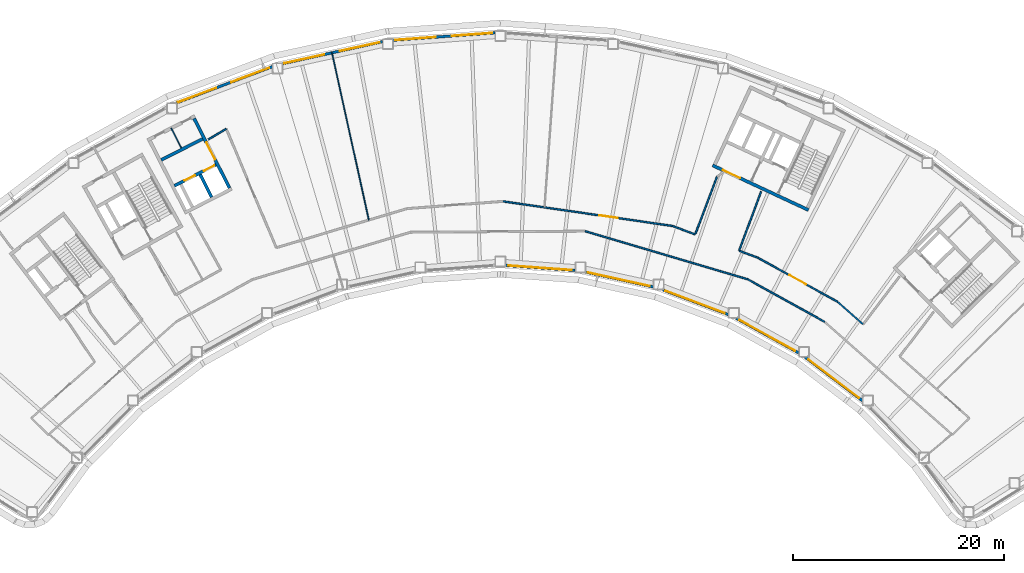
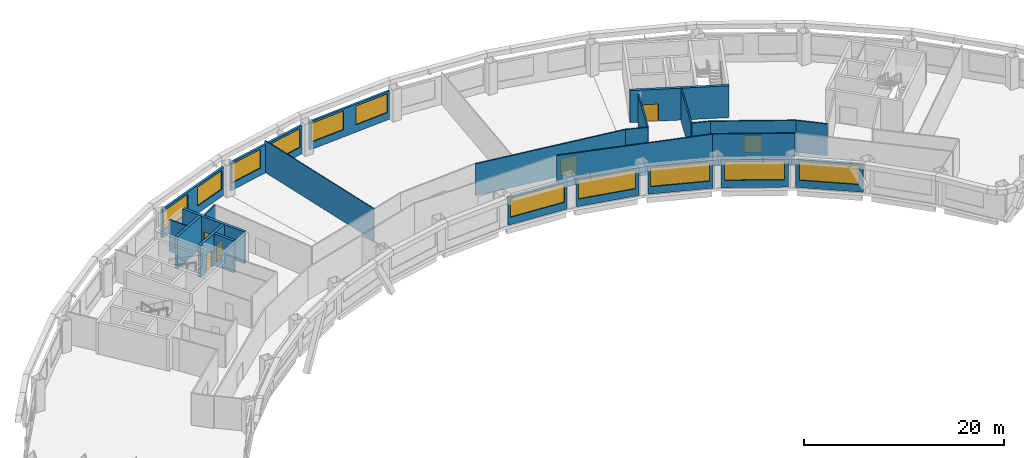
# One storey, part 5 of 13: 25 walls, 11 windows, 6 doors, 17 openings.
"""IFC4 building model written with IfcOpenShell, lengths in metres."""

from ifc_helpers import new_model, si_unit, direction, frame, frame_2d, origin, place, context, subcontext, project, spatial, rectangle, extrude, material, layer, layer_set, type_object, element, fill, save


model = new_model("IFC4")

# Units and contexts
model_context = context("Model", 3, precision=1e-05, world=origin(), true_north=direction((0.0, 1.0)))
body_context = subcontext(model_context, "Body", "Model", "MODEL_VIEW")
ifc_project = project(units=[si_unit("LENGTHUNIT", "METRE"), si_unit("AREAUNIT", "SQUARE_METRE"), si_unit("VOLUMEUNIT", "CUBIC_METRE"), si_unit("PLANEANGLEUNIT", "RADIAN"), si_unit("MASSUNIT", "GRAM", prefix="KILO")], contexts=[model_context])

# Site, building, storey
site_placement = place(None, origin())
site = spatial("IfcSite", under=ifc_project, at=site_placement, CompositionType="ELEMENT")
building_placement = place(site_placement, origin())
building = spatial("IfcBuilding", under=site, at=building_placement, Name="Tuul Gate Civic Tower", CompositionType="ELEMENT")
storey_placement = place(building_placement, frame((0.0, 0.0, 150.800048828125)))
storey = spatial("IfcBuildingStorey", under=building, at=storey_placement, Name="Level 34", CompositionType="ELEMENT", Elevation=150.800048828125)

# Wall, opening, door
ifc_material_1 = material(Name="Concrete C50/60", Category="concrete")
ifc_layer_1 = layer(ifc_material_1, 0.300048828125)
ifc_layer_set_1 = layer_set([ifc_layer_1], Name="Concrete C50/60")
wall_type_1 = type_object("IfcWallType", Name="Core wall C50/60", PredefinedType="SHEAR", material=ifc_layer_set_1)
wall_1_placement = place(storey_placement, frame((34.5283203125, -7.25, 0.0), z_axis=(0.0, 0.0, 1.0), x_axis=(-0.906310338845, 0.422612789327, 0.0)))
wall_1 = element("IfcWall", 1, at=wall_1_placement, inside=storey, type_object=wall_type_1, Name="Core wall", PredefinedType="SHEAR", context=body_context, shape_type="SweptSolid", body=[
    extrude(rectangle(XDim=9.999755859375, YDim=0.300048828125, at=frame_2d((5.0, 0.0))), origin(), (0.0, 0.0, 1.0), 3.89990234375),
])
opening_1_placement = place(wall_1_placement, frame((7.125, 0.0, 0.0)))
opening_1 = element("IfcOpeningElement", 2, at=opening_1_placement, cuts=wall_1, Name="Opening LB-E3-LOBBY-1", PredefinedType="OPENING", context=body_context, shape_type="SweptSolid", body=[
    extrude(rectangle(XDim=1.800048828125, YDim=2.10009765625, at=frame_2d((0.89990234375, 1.050048828125))), frame((0.0, 0.16015625, 0.0), z_axis=(0.0, -1.0, 0.0), x_axis=(1.0, 0.0, 0.0)), (0.0, 0.0, 1.0), 0.320068359375),
])
ifc_material_2 = material(Name="Steel", Category="steel")
door_type_1 = type_object("IfcDoorType", Name="Lobby door", OperationType="DOUBLE_DOOR_SINGLE_SWING", PredefinedType="DOOR", material=ifc_material_2)
door_1_placement = place(opening_1_placement, frame((1.800048828125, 0.0, 0.0), z_axis=(0.0, 0.0, 1.0), x_axis=(-1.0, 0.0, 0.0)))
door_1 = element("IfcDoor", 3, at=door_1_placement, inside=storey, type_object=door_type_1, Name="Lobby door E3-LOBBY", OperationType="DOUBLE_DOOR_SINGLE_SWING", OverallHeight=2.10009765625, OverallWidth=1.800048828125, PredefinedType="DOOR", context=body_context, shape_type="SweptSolid", body=[
    extrude(rectangle(XDim=1.800048828125, YDim=2.10009765625, at=frame_2d((0.900146484375, 1.050048828125))), frame((0.0, 0.02490234375, 0.0), z_axis=(0.0, -1.0, 0.0), x_axis=(1.0, 0.0, 0.0)), (0.0, 0.0, 1.0), 0.050048828125),
])
fill(opening_1, door_1)

# Wall
ifc_material_3 = material(Name="Gypsum board partition")
ifc_layer_2 = layer(ifc_material_3, 0.14990234375)
ifc_layer_set_2 = layer_set([ifc_layer_2], Name="Gypsum board partition")
wall_type_2 = type_object("IfcWallType", Name="Corridor wall P150", PredefinedType="PARTITIONING", material=ifc_layer_set_2)
wall_2_placement = place(storey_placement, frame((37.291748046875, -15.93798828125, 0.0), z_axis=(0.0, 0.0, 1.0), x_axis=(0.749786473691, -0.661679865093, 0.0)))
element("IfcWall", 4, at=wall_2_placement, inside=storey, type_object=wall_type_2, Name="p005", PredefinedType="PARTITIONING", context=body_context, shape_type="SweptSolid", body=[
    extrude(rectangle(XDim=3.189453125, YDim=0.14990234375, at=frame_2d((1.5947265625, 0.0))), origin(), (0.0, 0.0, 1.0), 3.89990234375),
])

# Wall, opening, door
wall_3_placement = place(storey_placement, frame((29.74365234375, -11.760986328125, 0.0), z_axis=(0.0, 0.0, 1.0), x_axis=(0.874963879405, -0.48418819661, 0.0)))
wall_3 = element("IfcWall", 5, at=wall_3_placement, inside=storey, type_object=wall_type_2, Name="p010", PredefinedType="PARTITIONING", context=body_context, shape_type="SweptSolid", body=[
    extrude(rectangle(XDim=8.624755859375, YDim=0.14990234375, at=frame_2d((4.3125, 0.0))), origin(), (0.0, 0.0, 1.0), 3.89990234375),
])
opening_2_placement = place(wall_3_placement, frame((3.412353515625, 0.0, 0.0)))
opening_2 = element("IfcOpeningElement", 6, at=opening_2_placement, cuts=wall_3, Name="Opening L-D02", PredefinedType="OPENING", context=body_context, shape_type="SweptSolid", body=[
    extrude(rectangle(XDim=1.800048828125, YDim=2.10009765625, at=frame_2d((0.89990234375, 1.050048828125))), frame((0.0, 0.0849609375, 0.0), z_axis=(0.0, -1.0, 0.0), x_axis=(1.0, 0.0, 0.0)), (0.0, 0.0, 1.0), 0.169921875),
])
ifc_material_4 = material(Name="Timber door leaf, double", Category="wood")
door_type_2 = type_object("IfcDoorType", Name="Door D18", OperationType="DOUBLE_DOOR_SINGLE_SWING", PredefinedType="DOOR", material=ifc_material_4)
door_2_placement = place(opening_2_placement, origin())
door_2 = element("IfcDoor", 7, at=door_2_placement, inside=storey, type_object=door_type_2, Name="Door L-D02", OperationType="DOUBLE_DOOR_SINGLE_SWING", OverallHeight=2.10009765625, OverallWidth=1.800048828125, PredefinedType="DOOR", context=body_context, shape_type="SweptSolid", body=[
    extrude(rectangle(XDim=1.800048828125, YDim=2.10009765625, at=frame_2d((0.89990234375, 1.050048828125))), frame((0.0, 0.02490234375, 0.0), z_axis=(0.0, -1.0, 0.0), x_axis=(1.0, 0.0, 0.0)), (0.0, 0.0, 1.0), 0.050048828125),
])
fill(opening_2, door_2)

# Walls
wall_4_placement = place(storey_placement, frame((21.662109375, -8.7568359375, 0.0), z_axis=(0.0, 0.0, 1.0), x_axis=(0.937319007973, -0.348472491443, 0.0)))
element("IfcWall", 8, at=wall_4_placement, inside=storey, type_object=wall_type_2, Name="p011", PredefinedType="PARTITIONING", context=body_context, shape_type="SweptSolid", body=[
    extrude(rectangle(XDim=2.27197265625, YDim=0.14990234375, at=frame_2d((1.135986328125, 0.0))), origin(), (0.0, 0.0, 1.0), 3.89990234375),
])
wall_5_placement = place(storey_placement, frame((27.987548828125, -11.108154296875, 0.0), z_axis=(0.0, 0.0, 1.0), x_axis=(0.937359575366, -0.348363354084, 0.0)))
element("IfcWall", 9, at=wall_5_placement, inside=storey, type_object=wall_type_2, Name="p012", PredefinedType="PARTITIONING", context=body_context, shape_type="SweptSolid", body=[
    extrude(rectangle(XDim=1.871826171875, YDim=0.14990234375, at=frame_2d((0.93603515625, 0.0))), origin(), (0.0, 0.0, 1.0), 3.89990234375),
])
wall_6_placement = place(storey_placement, frame((27.975341796875, -11.081298828125, 0.0), z_axis=(0.0, 0.0, 1.0), x_axis=(0.348388102899, 0.937350377265, 0.0)))
element("IfcWall", 10, at=wall_6_placement, inside=storey, type_object=wall_type_2, Name="p013", PredefinedType="PARTITIONING", context=body_context, shape_type="SweptSolid", body=[
    extrude(rectangle(XDim=5.9599609375, YDim=0.14990234375, at=frame_2d((2.97998046875, 0.0))), origin(), (0.0, 0.0, 1.0), 3.89990234375),
])
wall_7_placement = place(storey_placement, frame((23.818603515625, -9.53662109375, 0.0), z_axis=(0.0, 0.0, 1.0), x_axis=(0.354086128069, 0.935212817443, 0.0)))
element("IfcWall", 11, at=wall_7_placement, inside=storey, type_object=wall_type_2, Name="p016", PredefinedType="PARTITIONING", context=body_context, shape_type="SweptSolid", body=[
    extrude(rectangle(XDim=5.830322265625, YDim=0.14990234375, at=frame_2d((2.9150390625, 0.0))), origin(), (0.0, 0.0, 1.0), 3.89990234375),
])

# Wall, opening, door
wall_8_placement = place(storey_placement, frame((5.622314453125, -6.427490234375, 0.0), z_axis=(0.0, 0.0, 1.0), x_axis=(0.989620550356, -0.1437051367, 0.0)))
wall_8 = element("IfcWall", 12, at=wall_8_placement, inside=storey, type_object=wall_type_2, Name="p017", PredefinedType="PARTITIONING", context=body_context, shape_type="SweptSolid", body=[
    extrude(rectangle(XDim=16.205810546875, YDim=0.14990234375, at=frame_2d((8.10302734375, 0.0))), origin(), (0.0, 0.0, 1.0), 3.89990234375),
])
opening_3_placement = place(wall_8_placement, frame((9.18798828125, 0.0, 0.0)))
opening_3 = element("IfcOpeningElement", 13, at=opening_3_placement, cuts=wall_8, Name="Opening L-D03", PredefinedType="OPENING", context=body_context, shape_type="SweptSolid", body=[
    extrude(rectangle(XDim=1.800048828125, YDim=2.10009765625, at=frame_2d((0.89990234375, 1.050048828125))), frame((0.0, 0.0849609375, 0.0), z_axis=(0.0, -1.0, 0.0), x_axis=(1.0, 0.0, 0.0)), (0.0, 0.0, 1.0), 0.169921875),
])
door_3_placement = place(opening_3_placement, origin())
door_3 = element("IfcDoor", 14, at=door_3_placement, inside=storey, type_object=door_type_2, Name="Door L-D03", OperationType="DOUBLE_DOOR_SINGLE_SWING", OverallHeight=2.10009765625, OverallWidth=1.800048828125, PredefinedType="DOOR", context=body_context, shape_type="SweptSolid", body=[
    extrude(rectangle(XDim=1.800048828125, YDim=2.10009765625, at=frame_2d((0.89990234375, 1.050048828125))), frame((0.0, 0.02490234375, 0.0), z_axis=(0.0, -1.0, 0.0), x_axis=(1.0, 0.0, 0.0)), (0.0, 0.0, 1.0), 0.050048828125),
])
fill(opening_3, door_3)

# Walls
wall_9_placement = place(storey_placement, frame((-22.254638671875, -0.5732421875, 0.0), z_axis=(0.0, 0.0, 1.0), x_axis=(0.859073729724, 0.511851860306, 0.0)))
element("IfcWall", 15, at=wall_9_placement, inside=storey, type_object=wall_type_2, Name="p023", PredefinedType="PARTITIONING", context=body_context, shape_type="SweptSolid", body=[
    extrude(rectangle(XDim=1.970947265625, YDim=0.14990234375, at=frame_2d((0.9853515625, 0.0))), origin(), (0.0, 0.0, 1.0), 3.89990234375),
])
wall_10_placement = place(storey_placement, frame((13.4052734375, -9.24755859375, 0.0), z_axis=(0.0, 0.0, 1.0), x_axis=(0.958768044807, -0.284189789149, 0.0)))
element("IfcWall", 16, at=wall_10_placement, inside=storey, type_object=wall_type_2, Name="p039", PredefinedType="PARTITIONING", context=body_context, shape_type="SweptSolid", body=[
    extrude(rectangle(XDim=16.057861328125, YDim=0.14990234375, at=frame_2d((8.02880859375, 0.0))), origin(), (0.0, 0.0, 1.0), 3.89990234375),
])
wall_11_placement = place(storey_placement, frame((28.801025390625, -13.81103515625, 0.0), z_axis=(0.0, 0.0, 1.0), x_axis=(0.874969827012, -0.484177448689, 0.0)))
element("IfcWall", 17, at=wall_11_placement, inside=storey, type_object=wall_type_2, Name="p040", PredefinedType="PARTITIONING", context=body_context, shape_type="SweptSolid", body=[
    extrude(rectangle(XDim=8.292724609375, YDim=0.14990234375, at=frame_2d((4.146484375, 0.0))), origin(), (0.0, 0.0, 1.0), 3.89990234375),
])

# Wall, openings, windows
ifc_material_5 = material(Name="Precast concrete C40/50", Category="concrete")
ifc_layer_3 = layer(ifc_material_5, 0.25)
ifc_layer_set_3 = layer_set([ifc_layer_3], Name="Precast concrete C40/50")
wall_type_3 = type_object("IfcWallType", Name="External wall", PredefinedType="STANDARD", material=ifc_layer_set_3)
wall_12_placement = place(storey_placement, frame((4.8740234375, 9.521484375, 0.0), z_axis=(0.0, 0.0, 1.0), x_axis=(-0.997386456692, -0.07225133914, 0.0)))
wall_12 = element("IfcWall", 18, at=wall_12_placement, inside=storey, type_object=wall_type_3, Name="External wall", PredefinedType="STANDARD", context=body_context, shape_type="SweptSolid", body=[
    extrude(rectangle(XDim=9.67431640625, YDim=0.25, at=frame_2d((4.837158203125, 0.0))), origin(), (0.0, 0.0, 1.0), 3.449951171875),
])
opening_4_placement = place(wall_12_placement, frame((0.250244140625, 0.0, 0.89990234375)))
opening_4 = element("IfcOpeningElement", 19, at=opening_4_placement, cuts=wall_12, Name="Opening W22", PredefinedType="OPENING", context=body_context, shape_type="SweptSolid", body=[
    extrude(rectangle(XDim=3.85009765625, YDim=2.300048828125, at=frame_2d((1.925048828125, 1.14990234375))), frame((0.0, 0.135009765625, 0.0), z_axis=(0.0, -1.0, 0.0), x_axis=(1.0, 0.0, 0.0)), (0.0, 0.0, 1.0), 0.27001953125),
])
opening_5_placement = place(wall_12_placement, frame((5.62109375, 0.0, 0.89990234375)))
opening_5 = element("IfcOpeningElement", 20, at=opening_5_placement, cuts=wall_12, Name="Opening W22", PredefinedType="OPENING", context=body_context, shape_type="SweptSolid", body=[
    extrude(rectangle(XDim=3.85009765625, YDim=2.300048828125, at=frame_2d((1.925048828125, 1.14990234375))), frame((0.0, 0.135009765625, 0.0), z_axis=(0.0, -1.0, 0.0), x_axis=(1.0, 0.0, 0.0)), (0.0, 0.0, 1.0), 0.27001953125),
])
ifc_material_6 = material(Name="Glass", Category="glass")
window_type_1 = type_object("IfcWindowType", Name="Window W22 3850 x 2300", PartitioningType="SINGLE_PANEL", PredefinedType="WINDOW", material=ifc_material_6)
window_1_placement = place(opening_4_placement, origin())
window_1 = element("IfcWindow", 21, at=window_1_placement, inside=storey, type_object=window_type_1, Name="Window", OverallHeight=2.300048828125, OverallWidth=3.85009765625, PartitioningType="SINGLE_PANEL", PredefinedType="WINDOW", context=body_context, shape_type="SweptSolid", body=[
    extrude(rectangle(XDim=3.85009765625, YDim=2.300048828125, at=frame_2d((1.925048828125, 1.14990234375))), frame((0.0, 0.030029296875, 0.0), z_axis=(0.0, -1.0, 0.0), x_axis=(1.0, 0.0, 0.0)), (0.0, 0.0, 1.0), 0.06005859375),
])
fill(opening_4, window_1)
window_2_placement = place(opening_5_placement, origin())
window_2 = element("IfcWindow", 22, at=window_2_placement, inside=storey, type_object=window_type_1, Name="Window", OverallHeight=2.300048828125, OverallWidth=3.85009765625, PartitioningType="SINGLE_PANEL", PredefinedType="WINDOW", context=body_context, shape_type="SweptSolid", body=[
    extrude(rectangle(XDim=3.85009765625, YDim=2.300048828125, at=frame_2d((1.925048828125, 1.14990234375))), frame((0.0, 0.030029296875, 0.0), z_axis=(0.0, -1.0, 0.0), x_axis=(1.0, 0.0, 0.0)), (0.0, 0.0, 1.0), 0.06005859375),
])
fill(opening_5, window_2)

wall_13_placement = place(storey_placement, frame((-5.77490234375, 8.68310546875, 0.0), z_axis=(0.0, 0.0, 1.0), x_axis=(-0.976568733391, -0.215205736364, 0.0)))
wall_13 = element("IfcWall", 23, at=wall_13_placement, inside=storey, type_object=wall_type_3, Name="External wall", PredefinedType="STANDARD", context=body_context, shape_type="SweptSolid", body=[
    extrude(rectangle(XDim=9.654296875, YDim=0.25, at=frame_2d((4.8271484375, 0.0))), origin(), (0.0, 0.0, 1.0), 3.449951171875),
])
opening_6_placement = place(wall_13_placement, frame((0.28759765625, 0.0, 0.89990234375)))
opening_6 = element("IfcOpeningElement", 24, at=opening_6_placement, cuts=wall_13, Name="Opening W22", PredefinedType="OPENING", context=body_context, shape_type="SweptSolid", body=[
    extrude(rectangle(XDim=3.85009765625, YDim=2.300048828125, at=frame_2d((1.925048828125, 1.14990234375))), frame((0.0, 0.135009765625, 0.0), z_axis=(0.0, -1.0, 0.0), x_axis=(1.0, 0.0, 0.0)), (0.0, 0.0, 1.0), 0.27001953125),
])
opening_7_placement = place(wall_13_placement, frame((5.6591796875, 0.0, 0.89990234375)))
opening_7 = element("IfcOpeningElement", 25, at=opening_7_placement, cuts=wall_13, Name="Opening W22", PredefinedType="OPENING", context=body_context, shape_type="SweptSolid", body=[
    extrude(rectangle(XDim=3.85009765625, YDim=2.300048828125, at=frame_2d((1.925048828125, 1.14990234375))), frame((0.0, 0.135009765625, 0.0), z_axis=(0.0, -1.0, 0.0), x_axis=(1.0, 0.0, 0.0)), (0.0, 0.0, 1.0), 0.27001953125),
])
window_3_placement = place(opening_6_placement, origin())
window_3 = element("IfcWindow", 26, at=window_3_placement, inside=storey, type_object=window_type_1, Name="Window", OverallHeight=2.300048828125, OverallWidth=3.85009765625, PartitioningType="SINGLE_PANEL", PredefinedType="WINDOW", context=body_context, shape_type="SweptSolid", body=[
    extrude(rectangle(XDim=3.85009765625, YDim=2.300048828125, at=frame_2d((1.925048828125, 1.14990234375))), frame((0.0, 0.030029296875, 0.0), z_axis=(0.0, -1.0, 0.0), x_axis=(1.0, 0.0, 0.0)), (0.0, 0.0, 1.0), 0.06005859375),
])
fill(opening_6, window_3)
window_4_placement = place(opening_7_placement, origin())
window_4 = element("IfcWindow", 27, at=window_4_placement, inside=storey, type_object=window_type_1, Name="Window", OverallHeight=2.300048828125, OverallWidth=3.85009765625, PartitioningType="SINGLE_PANEL", PredefinedType="WINDOW", context=body_context, shape_type="SweptSolid", body=[
    extrude(rectangle(XDim=3.85009765625, YDim=2.300048828125, at=frame_2d((1.925048828125, 1.14990234375))), frame((0.0, 0.030029296875, 0.0), z_axis=(0.0, -1.0, 0.0), x_axis=(1.0, 0.0, 0.0)), (0.0, 0.0, 1.0), 0.06005859375),
])
fill(opening_7, window_4)

wall_14_placement = place(storey_placement, frame((-16.202880859375, 6.320556640625, 0.0), z_axis=(0.0, 0.0, 1.0), x_axis=(-0.935351451724, -0.353719750307, 0.0)))
wall_14 = element("IfcWall", 28, at=wall_14_placement, inside=storey, type_object=wall_type_3, Name="External wall", PredefinedType="STANDARD", context=body_context, shape_type="SweptSolid", body=[
    extrude(rectangle(XDim=9.712646484375, YDim=0.25, at=frame_2d((4.8564453125, 0.0))), origin(), (0.0, 0.0, 1.0), 3.449951171875),
])
opening_8_placement = place(wall_14_placement, frame((0.315673828125, 0.0, 0.89990234375)))
opening_8 = element("IfcOpeningElement", 29, at=opening_8_placement, cuts=wall_14, Name="Opening W22", PredefinedType="OPENING", context=body_context, shape_type="SweptSolid", body=[
    extrude(rectangle(XDim=3.85009765625, YDim=2.300048828125, at=frame_2d((1.925048828125, 1.14990234375))), frame((0.0, 0.135009765625, 0.0), z_axis=(0.0, -1.0, 0.0), x_axis=(1.0, 0.0, 0.0)), (0.0, 0.0, 1.0), 0.27001953125),
])
opening_9_placement = place(wall_14_placement, frame((5.68701171875, 0.0, 0.89990234375)))
opening_9 = element("IfcOpeningElement", 30, at=opening_9_placement, cuts=wall_14, Name="Opening W22", PredefinedType="OPENING", context=body_context, shape_type="SweptSolid", body=[
    extrude(rectangle(XDim=3.85009765625, YDim=2.300048828125, at=frame_2d((1.925048828125, 1.14990234375))), frame((0.0, 0.135009765625, 0.0), z_axis=(0.0, -1.0, 0.0), x_axis=(1.0, 0.0, 0.0)), (0.0, 0.0, 1.0), 0.27001953125),
])
window_5_placement = place(opening_8_placement, origin())
window_5 = element("IfcWindow", 31, at=window_5_placement, inside=storey, type_object=window_type_1, Name="Window", OverallHeight=2.300048828125, OverallWidth=3.85009765625, PartitioningType="SINGLE_PANEL", PredefinedType="WINDOW", context=body_context, shape_type="SweptSolid", body=[
    extrude(rectangle(XDim=3.85009765625, YDim=2.300048828125, at=frame_2d((1.925048828125, 1.14990234375))), frame((0.0, 0.030029296875, 0.0), z_axis=(0.0, -1.0, 0.0), x_axis=(1.0, 0.0, 0.0)), (0.0, 0.0, 1.0), 0.06005859375),
])
fill(opening_8, window_5)
window_6_placement = place(opening_9_placement, origin())
window_6 = element("IfcWindow", 32, at=window_6_placement, inside=storey, type_object=window_type_1, Name="Window", OverallHeight=2.300048828125, OverallWidth=3.85009765625, PartitioningType="SINGLE_PANEL", PredefinedType="WINDOW", context=body_context, shape_type="SweptSolid", body=[
    extrude(rectangle(XDim=3.85009765625, YDim=2.300048828125, at=frame_2d((1.925048828125, 1.14990234375))), frame((0.0, 0.030029296875, 0.0), z_axis=(0.0, -1.0, 0.0), x_axis=(1.0, 0.0, 0.0)), (0.0, 0.0, 1.0), 0.06005859375),
])
fill(opening_9, window_6)

# Wall, opening, window
wall_15_placement = place(storey_placement, frame((5.8740234375, -12.48583984375, 0.0), z_axis=(0.0, 0.0, 1.0), x_axis=(0.997383866909, -0.072287080662, 0.0)))
wall_15 = element("IfcWall", 33, at=wall_15_placement, inside=storey, type_object=wall_type_3, Name="External wall", PredefinedType="STANDARD", context=body_context, shape_type="SweptSolid", body=[
    extrude(rectangle(XDim=6.58935546875, YDim=0.25, at=frame_2d((3.294677734375, 0.0))), origin(), (0.0, 0.0, 1.0), 3.449951171875),
])
opening_10_placement = place(wall_15_placement, frame((0.27099609375, 0.0, 0.89990234375)))
opening_10 = element("IfcOpeningElement", 34, at=opening_10_placement, cuts=wall_15, Name="Opening W26", PredefinedType="OPENING", context=body_context, shape_type="SweptSolid", body=[
    extrude(rectangle(XDim=6.0, YDim=2.300048828125, at=frame_2d((3.0, 1.14990234375))), frame((0.0, 0.135009765625, 0.0), z_axis=(0.0, -1.0, 0.0), x_axis=(1.0, 0.0, 0.0)), (0.0, 0.0, 1.0), 0.27001953125),
])
ifc_material_7 = material(Name="Glass", Category="glass")
window_type_2 = type_object("IfcWindowType", Name="Window W26 6000 x 2300", PartitioningType="SINGLE_PANEL", PredefinedType="WINDOW", material=ifc_material_7)
window_7_placement = place(opening_10_placement, origin())
window_7 = element("IfcWindow", 35, at=window_7_placement, inside=storey, type_object=window_type_2, Name="Window", OverallHeight=2.300048828125, OverallWidth=6.0, PartitioningType="SINGLE_PANEL", PredefinedType="WINDOW", context=body_context, shape_type="SweptSolid", body=[
    extrude(rectangle(XDim=6.0, YDim=2.300048828125, at=frame_2d((3.0, 1.14990234375))), frame((0.0, 0.030029296875, 0.0), z_axis=(0.0, -1.0, 0.0), x_axis=(1.0, 0.0, 0.0)), (0.0, 0.0, 1.0), 0.06005859375),
])
fill(opening_10, window_7)

wall_16_placement = place(storey_placement, frame((13.446044921875, -13.115478515625, 0.0), z_axis=(0.0, 0.0, 1.0), x_axis=(0.976557337415, -0.215257442942, 0.0)))
wall_16 = element("IfcWall", 36, at=wall_16_placement, inside=storey, type_object=wall_type_3, Name="External wall", PredefinedType="STANDARD", context=body_context, shape_type="SweptSolid", body=[
    extrude(rectangle(XDim=6.568115234375, YDim=0.25, at=frame_2d((3.2841796875, 0.0))), origin(), (0.0, 0.0, 1.0), 3.449951171875),
])
opening_11_placement = place(wall_16_placement, frame((0.212158203125, 0.0, 0.89990234375)))
opening_11 = element("IfcOpeningElement", 37, at=opening_11_placement, cuts=wall_16, Name="Opening W26", PredefinedType="OPENING", context=body_context, shape_type="SweptSolid", body=[
    extrude(rectangle(XDim=6.0, YDim=2.300048828125, at=frame_2d((3.0, 1.14990234375))), frame((0.0, 0.135009765625, 0.0), z_axis=(0.0, -1.0, 0.0), x_axis=(1.0, 0.0, 0.0)), (0.0, 0.0, 1.0), 0.27001953125),
])
window_8_placement = place(opening_11_placement, origin())
window_8 = element("IfcWindow", 38, at=window_8_placement, inside=storey, type_object=window_type_2, Name="Window", OverallHeight=2.300048828125, OverallWidth=6.0, PartitioningType="SINGLE_PANEL", PredefinedType="WINDOW", context=body_context, shape_type="SweptSolid", body=[
    extrude(rectangle(XDim=6.0, YDim=2.300048828125, at=frame_2d((3.0, 1.14990234375))), frame((0.0, 0.030029296875, 0.0), z_axis=(0.0, -1.0, 0.0), x_axis=(1.0, 0.0, 0.0)), (0.0, 0.0, 1.0), 0.06005859375),
])
fill(opening_11, window_8)

wall_17_placement = place(storey_placement, frame((20.76416015625, -14.806884765625, 0.0), z_axis=(0.0, 0.0, 1.0), x_axis=(0.935359421998, -0.353698673562, 0.0)))
wall_17 = element("IfcWall", 39, at=wall_17_placement, inside=storey, type_object=wall_type_3, Name="External wall", PredefinedType="STANDARD", context=body_context, shape_type="SweptSolid", body=[
    extrude(rectangle(XDim=6.625, YDim=0.25, at=frame_2d((3.3125, 0.0))), origin(), (0.0, 0.0, 1.0), 3.449951171875),
])
opening_12_placement = place(wall_17_placement, frame((0.240478515625, 0.0, 0.89990234375)))
opening_12 = element("IfcOpeningElement", 40, at=opening_12_placement, cuts=wall_17, Name="Opening W26", PredefinedType="OPENING", context=body_context, shape_type="SweptSolid", body=[
    extrude(rectangle(XDim=6.0, YDim=2.300048828125, at=frame_2d((3.0, 1.14990234375))), frame((0.0, 0.135009765625, 0.0), z_axis=(0.0, -1.0, 0.0), x_axis=(1.0, 0.0, 0.0)), (0.0, 0.0, 1.0), 0.27001953125),
])
window_9_placement = place(opening_12_placement, origin())
window_9 = element("IfcWindow", 41, at=window_9_placement, inside=storey, type_object=window_type_2, Name="Window", OverallHeight=2.300048828125, OverallWidth=6.0, PartitioningType="SINGLE_PANEL", PredefinedType="WINDOW", context=body_context, shape_type="SweptSolid", body=[
    extrude(rectangle(XDim=6.0, YDim=2.300048828125, at=frame_2d((3.0, 1.14990234375))), frame((0.0, 0.030029296875, 0.0), z_axis=(0.0, -1.0, 0.0), x_axis=(1.0, 0.0, 0.0)), (0.0, 0.0, 1.0), 0.06005859375),
])
fill(opening_12, window_9)

wall_18_placement = place(storey_placement, frame((27.693115234375, -17.491943359375, 0.0), z_axis=(0.0, 0.0, 1.0), x_axis=(0.874615488592, -0.484817230628, 0.0)))
wall_18 = element("IfcWall", 42, at=wall_18_placement, inside=storey, type_object=wall_type_3, Name="External wall", PredefinedType="STANDARD", context=body_context, shape_type="SweptSolid", body=[
    extrude(rectangle(XDim=6.7548828125, YDim=0.25, at=frame_2d((3.37744140625, 0.0))), origin(), (0.0, 0.0, 1.0), 3.449951171875),
])
opening_13_placement = place(wall_18_placement, frame((0.35009765625, 0.0, 0.89990234375)))
opening_13 = element("IfcOpeningElement", 43, at=opening_13_placement, cuts=wall_18, Name="Opening W26", PredefinedType="OPENING", context=body_context, shape_type="SweptSolid", body=[
    extrude(rectangle(XDim=6.0, YDim=2.300048828125, at=frame_2d((3.0, 1.14990234375))), frame((0.0, 0.135009765625, 0.0), z_axis=(0.0, -1.0, 0.0), x_axis=(1.0, 0.0, 0.0)), (0.0, 0.0, 1.0), 0.27001953125),
])
window_10_placement = place(opening_13_placement, origin())
window_10 = element("IfcWindow", 44, at=window_10_placement, inside=storey, type_object=window_type_2, Name="Window", OverallHeight=2.300048828125, OverallWidth=6.0, PartitioningType="SINGLE_PANEL", PredefinedType="WINDOW", context=body_context, shape_type="SweptSolid", body=[
    extrude(rectangle(XDim=6.0, YDim=2.300048828125, at=frame_2d((3.0, 1.14990234375))), frame((0.0, 0.030029296875, 0.0), z_axis=(0.0, -1.0, 0.0), x_axis=(1.0, 0.0, 0.0)), (0.0, 0.0, 1.0), 0.06005859375),
])
fill(opening_13, window_10)

wall_19_placement = place(storey_placement, frame((34.220458984375, -21.172119140625, 0.0), z_axis=(0.0, 0.0, 1.0), x_axis=(0.795597025415, -0.605826190546, 0.0)))
wall_19 = element("IfcWall", 45, at=wall_19_placement, inside=storey, type_object=wall_type_3, Name="External wall", PredefinedType="STANDARD", context=body_context, shape_type="SweptSolid", body=[
    extrude(rectangle(XDim=6.813232421875, YDim=0.25, at=frame_2d((3.40673828125, 0.0))), origin(), (0.0, 0.0, 1.0), 3.449951171875),
])
opening_14_placement = place(wall_19_placement, frame((0.397705078125, 0.0, 0.89990234375)))
opening_14 = element("IfcOpeningElement", 46, at=opening_14_placement, cuts=wall_19, Name="Opening W26", PredefinedType="OPENING", context=body_context, shape_type="SweptSolid", body=[
    extrude(rectangle(XDim=6.0, YDim=2.300048828125, at=frame_2d((3.0, 1.14990234375))), frame((0.0, 0.135009765625, 0.0), z_axis=(0.0, -1.0, 0.0), x_axis=(1.0, 0.0, 0.0)), (0.0, 0.0, 1.0), 0.27001953125),
])
window_11_placement = place(opening_14_placement, origin())
window_11 = element("IfcWindow", 47, at=window_11_placement, inside=storey, type_object=window_type_2, Name="Window", OverallHeight=2.300048828125, OverallWidth=6.0, PartitioningType="SINGLE_PANEL", PredefinedType="WINDOW", context=body_context, shape_type="SweptSolid", body=[
    extrude(rectangle(XDim=6.0, YDim=2.300048828125, at=frame_2d((3.0, 1.14990234375))), frame((0.0, 0.030029296875, 0.0), z_axis=(0.0, -1.0, 0.0), x_axis=(1.0, 0.0, 0.0)), (0.0, 0.0, 1.0), 0.06005859375),
])
fill(opening_14, window_11)

# Wall, openings, doors
ifc_material_8 = material(Name="Concrete C40/50", Category="concrete")
ifc_layer_4 = layer(ifc_material_8, 0.300048828125)
ifc_layer_set_4 = layer_set([ifc_layer_4], Name="Concrete C40/50")
wall_type_4 = type_object("IfcWallType", Name="Lift shaft wall C40/50", PredefinedType="STANDARD", material=ifc_layer_set_4)
wall_20_placement = place(storey_placement, frame((-21.542236328125, -2.962890625, 0.0), z_axis=(0.0, 0.0, 1.0), x_axis=(-0.891005618941, -0.453992276384, 0.0)))
wall_20 = element("IfcWall", 48, at=wall_20_placement, inside=storey, type_object=wall_type_4, Name="Shaft wall", PredefinedType="STANDARD", context=body_context, shape_type="SweptSolid", body=[
    extrude(rectangle(XDim=4.39990234375, YDim=0.300048828125, at=frame_2d((2.199951171875, 0.0))), origin(), (0.0, 0.0, 1.0), 3.89990234375),
])
opening_15_placement = place(wall_20_placement, frame((0.175048828125, 0.0, 0.0)))
opening_15 = element("IfcOpeningElement", 49, at=opening_15_placement, cuts=wall_20, Name="Opening LD-M1", PredefinedType="OPENING", context=body_context, shape_type="SweptSolid", body=[
    extrude(rectangle(XDim=1.10009765625, YDim=2.10009765625, at=frame_2d((0.550048828125, 1.050048828125))), frame((0.0, 0.16015625, 0.0), z_axis=(0.0, -1.0, 0.0), x_axis=(1.0, 0.0, 0.0)), (0.0, 0.0, 1.0), 0.320068359375),
])
opening_16_placement = place(wall_20_placement, frame((2.22509765625, 0.0, 0.0)))
opening_16 = element("IfcOpeningElement", 50, at=opening_16_placement, cuts=wall_20, Name="Opening LD-M2", PredefinedType="OPENING", context=body_context, shape_type="SweptSolid", body=[
    extrude(rectangle(XDim=1.10009765625, YDim=2.10009765625, at=frame_2d((0.550048828125, 1.050048828125))), frame((0.0, 0.16015625, 0.0), z_axis=(0.0, -1.0, 0.0), x_axis=(1.0, 0.0, 0.0)), (0.0, 0.0, 1.0), 0.320068359375),
])
ifc_material_9 = material(Name="Stainless steel", Category="steel")
door_type_3 = type_object("IfcDoorType", Name="Landing door", OperationType="DOUBLE_DOOR_SLIDING", PredefinedType="DOOR", material=ifc_material_9)
door_4_placement = place(opening_15_placement, origin())
door_4 = element("IfcDoor", 51, at=door_4_placement, inside=storey, type_object=door_type_3, Name="Mid-rise lift M1 landing door", OperationType="DOUBLE_DOOR_SLIDING", OverallHeight=2.10009765625, OverallWidth=1.10009765625, PredefinedType="DOOR", context=body_context, shape_type="SweptSolid", body=[
    extrude(rectangle(XDim=1.10009765625, YDim=2.10009765625, at=frame_2d((0.550048828125, 1.050048828125))), frame((0.0, 0.02490234375, 0.0), z_axis=(0.0, -1.0, 0.0), x_axis=(1.0, 0.0, 0.0)), (0.0, 0.0, 1.0), 0.050048828125),
])
fill(opening_15, door_4)
door_5_placement = place(opening_16_placement, origin())
door_5 = element("IfcDoor", 52, at=door_5_placement, inside=storey, type_object=door_type_3, Name="Mid-rise lift M2 landing door", OperationType="DOUBLE_DOOR_SLIDING", OverallHeight=2.10009765625, OverallWidth=1.10009765625, PredefinedType="DOOR", context=body_context, shape_type="SweptSolid", body=[
    extrude(rectangle(XDim=1.10009765625, YDim=2.10009765625, at=frame_2d((0.550048828125, 1.050048828125))), frame((0.0, 0.02490234375, 0.0), z_axis=(0.0, -1.0, 0.0), x_axis=(1.0, 0.0, 0.0)), (0.0, 0.0, 1.0), 0.050048828125),
])
fill(opening_16, door_5)

# Wall
wall_21_placement = place(storey_placement, frame((-22.790771484375, -0.5126953125, 0.0), z_axis=(0.0, 0.0, 1.0), x_axis=(-0.891005618941, -0.453992276384, 0.0)))
element("IfcWall", 53, at=wall_21_placement, inside=storey, type_object=wall_type_4, Name="Shaft wall", PredefinedType="STANDARD", context=body_context, shape_type="SweptSolid", body=[
    extrude(rectangle(XDim=4.39990234375, YDim=0.300048828125, at=frame_2d((2.199951171875, 0.0))), origin(), (0.0, 0.0, 1.0), 3.89990234375),
])

# Wall, opening, door
wall_22_placement = place(storey_placement, frame((-20.2509765625, -5.166748046875, 0.0), z_axis=(0.0, 0.0, 1.0), x_axis=(-0.45401029361, 0.89099643843, 0.0)))
wall_22 = element("IfcWall", 54, at=wall_22_placement, inside=storey, type_object=wall_type_4, Name="Shaft wall", PredefinedType="STANDARD", context=body_context, shape_type="SweptSolid", body=[
    extrude(rectangle(XDim=7.39990234375, YDim=0.300048828125, at=frame_2d((3.699951171875, 0.0))), origin(), (0.0, 0.0, 1.0), 3.89990234375),
])
opening_17_placement = place(wall_22_placement, frame((3.02490234375, 0.0, 0.0)))
opening_17 = element("IfcOpeningElement", 55, at=opening_17_placement, cuts=wall_22, Name="Opening LB-W3-LOBBY-1", PredefinedType="OPENING", context=body_context, shape_type="SweptSolid", body=[
    extrude(rectangle(XDim=1.800048828125, YDim=2.10009765625, at=frame_2d((0.89990234375, 1.050048828125))), frame((0.0, 0.16015625, 0.0), z_axis=(0.0, -1.0, 0.0), x_axis=(1.0, 0.0, 0.0)), (0.0, 0.0, 1.0), 0.320068359375),
])
door_6_placement = place(opening_17_placement, origin())
door_6 = element("IfcDoor", 56, at=door_6_placement, inside=storey, type_object=door_type_1, Name="Lobby door W3-LOBBY", OperationType="DOUBLE_DOOR_SINGLE_SWING", OverallHeight=2.10009765625, OverallWidth=1.800048828125, PredefinedType="DOOR", context=body_context, shape_type="SweptSolid", body=[
    extrude(rectangle(XDim=1.800048828125, YDim=2.10009765625, at=frame_2d((0.89990234375, 1.050048828125))), frame((0.0, 0.02490234375, 0.0), z_axis=(0.0, -1.0, 0.0), x_axis=(1.0, 0.0, 0.0)), (0.0, 0.0, 1.0), 0.050048828125),
])
fill(opening_17, door_6)

# Walls
wall_23_placement = place(storey_placement, frame((-21.94384765625, -6.029296875, 0.0), z_axis=(0.0, 0.0, 1.0), x_axis=(-0.45403702923, 0.890982814698, 0.0)))
element("IfcWall", 57, at=wall_23_placement, inside=storey, type_object=wall_type_4, Name="Shaft wall", PredefinedType="STANDARD", context=body_context, shape_type="SweptSolid", body=[
    extrude(rectangle(XDim=2.39990234375, YDim=0.300048828125, at=frame_2d((1.199951171875, 0.0))), origin(), (0.0, 0.0, 1.0), 3.89990234375),
])
ifc_material_10 = material(Name="Gypsum board partition")
ifc_layer_5 = layer(ifc_material_10, 0.10009765625)
ifc_layer_set_5 = layer_set([ifc_layer_5], Name="Gypsum board partition")
wall_type_5 = type_object("IfcWallType", Name="Partition P100", PredefinedType="PARTITIONING", material=ifc_layer_set_5)
wall_24_placement = place(storey_placement, frame((-10.56005859375, 7.6337890625, 0.0), z_axis=(0.0, 0.0, 1.0), x_axis=(0.215215516237, -0.976566578156, 0.0)))
element("IfcWall", 58, at=wall_24_placement, inside=storey, type_object=wall_type_5, Name="p018", PredefinedType="PARTITIONING", context=body_context, shape_type="SweptSolid", body=[
    extrude(rectangle(XDim=16.207275390625, YDim=0.10009765625, at=frame_2d((8.103515625, 0.0))), origin(), (0.0, 0.0, 1.0), 3.89990234375),
])
wall_25_placement = place(storey_placement, frame((-24.819091796875, -1.377685546875, 0.0), z_axis=(0.0, 0.0, 1.0), x_axis=(-0.453990218702, 0.891006667384, 0.0)))
element("IfcWall", 59, at=wall_25_placement, inside=storey, type_object=wall_type_5, Name="bW3-BAND-0", PredefinedType="PARTITIONING", context=body_context, shape_type="SweptSolid", body=[
    extrude(rectangle(XDim=2.10009765625, YDim=0.10009765625, at=frame_2d((1.050048828125, 0.0))), origin(), (0.0, 0.0, 1.0), 3.89990234375),
])

save(model, "model.ifc")
